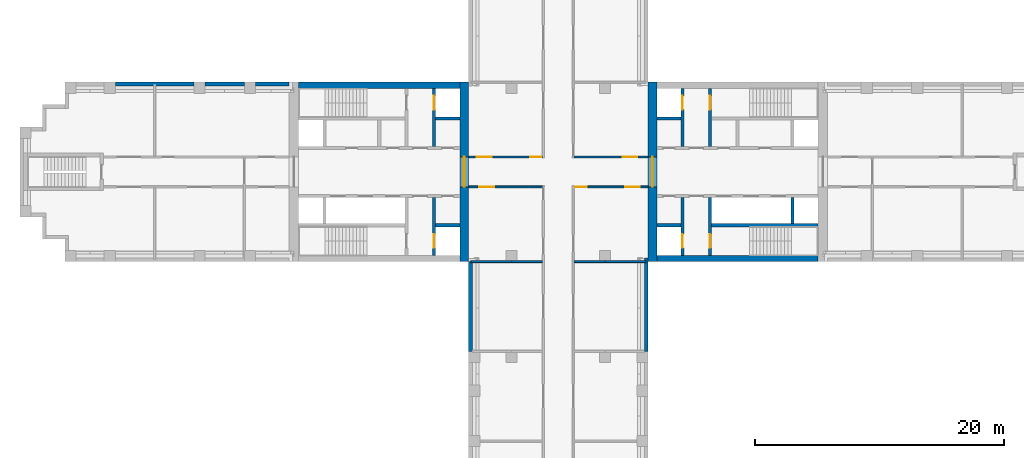
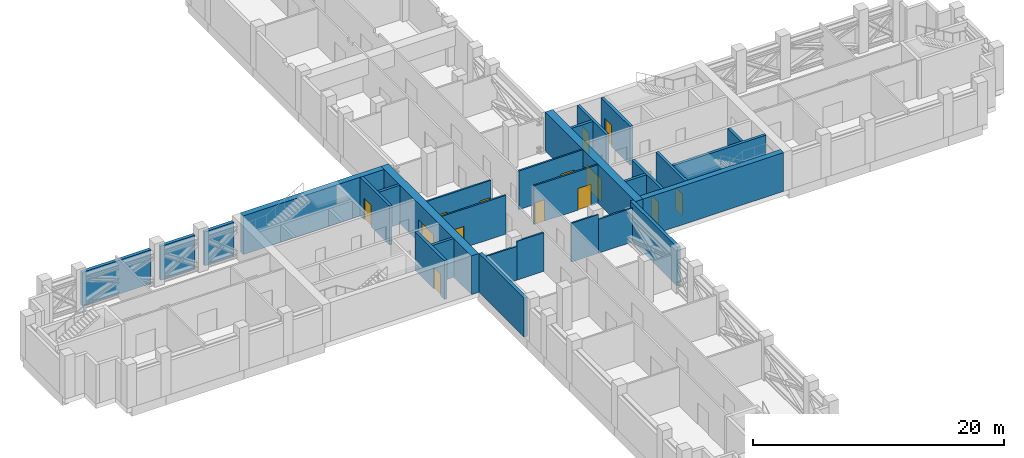
# One storey, part 6 of 10: 29 walls, 14 doors, 14 openings.
"""IFC4 building model written with IfcOpenShell, lengths in metres."""

from ifc_helpers import new_model, si_unit, direction, frame, frame_2d, origin, place, context, subcontext, project, spatial, rectangle, extrude, material, layer, layer_set, type_object, element, fill, save


model = new_model("IFC4")

# Units and contexts
model_context = context("Model", 3, precision=1e-05, world=origin(), true_north=direction((0.0, 1.0)))
body_context = subcontext(model_context, "Body", "Model", "MODEL_VIEW")
ifc_project = project(units=[si_unit("LENGTHUNIT", "METRE"), si_unit("AREAUNIT", "SQUARE_METRE"), si_unit("VOLUMEUNIT", "CUBIC_METRE"), si_unit("PLANEANGLEUNIT", "RADIAN"), si_unit("MASSUNIT", "GRAM", prefix="KILO")], contexts=[model_context])

# Site, building, storey
site_placement = place(None, origin())
site = spatial("IfcSite", under=ifc_project, at=site_placement, CompositionType="ELEMENT")
building_placement = place(site_placement, origin())
building = spatial("IfcBuilding", under=site, at=building_placement, Name="Fustian Cross Tower", CompositionType="ELEMENT")
storey_placement = place(building_placement, frame((0.0, 0.0, 62.699951171875)))
storey = spatial("IfcBuildingStorey", under=building, at=storey_placement, Name="L19", CompositionType="ELEMENT", Elevation=62.699951171875)

# Wall, opening, door
ifc_material_1 = material(Name="Plasterboard on steel stud", Category="steel")
ifc_layer_1 = layer(ifc_material_1, 0.14990234375)
ifc_layer_set_1 = layer_set([ifc_layer_1], Name="Plasterboard on steel stud")
wall_type_1 = type_object("IfcWallType", Name="COMPARTMENT WALL 150 EI 60", PredefinedType="PARTITIONING", material=ifc_layer_set_1)
wall_1_placement = place(storey_placement, frame((-7.199951171875, -1.199951171875, 0.0), z_axis=(0.0, 0.0, 1.0), x_axis=(1.0, 0.0, 0.0)))
wall_1 = element("IfcWall", 1, at=wall_1_placement, inside=storey, type_object=wall_type_1, Name="Partition 6", PredefinedType="PARTITIONING", context=body_context, shape_type="SweptSolid", body=[
    extrude(rectangle(XDim=5.925048828125, YDim=0.14990234375, at=frame_2d((2.96240234375, 0.0))), origin(), (0.0, 0.0, 1.0), 3.775146484375),
])
opening_1_placement = place(wall_1_placement, frame((0.85009765625, 0.0, 0.0)))
opening_1 = element("IfcOpeningElement", 2, at=opening_1_placement, cuts=wall_1, Name="Opening D10007", PredefinedType="OPENING", context=body_context, shape_type="SweptSolid", body=[
    extrude(rectangle(XDim=1.199951171875, YDim=2.10009765625, at=frame_2d((0.60009765625, 1.050048828125))), frame((0.0, 0.0849609375, 0.0), z_axis=(0.0, -1.0, 0.0), x_axis=(1.0, 0.0, 0.0)), (0.0, 0.0, 1.0), 0.169921875),
])
ifc_material_2 = material(Name="Timber fire door set", Category="wood")
door_type_1 = type_object("IfcDoorType", Name="FIRE SWING DOOR 1200 FD30S", OperationType="SINGLE_SWING_LEFT", PredefinedType="DOOR", material=ifc_material_2)
door_1_placement = place(opening_1_placement, frame((1.199951171875, 0.0, 0.0), z_axis=(0.0, 0.0, 1.0), x_axis=(-1.0, 0.0, 0.0)))
door_1 = element("IfcDoor", 3, at=door_1_placement, inside=storey, type_object=door_type_1, Name="Door D10007", OperationType="SINGLE_SWING_RIGHT", OverallHeight=2.10009765625, OverallWidth=1.199951171875, PredefinedType="DOOR", context=body_context, shape_type="SweptSolid", body=[
    extrude(rectangle(XDim=1.199951171875, YDim=2.10009765625, at=frame_2d((0.60009765625, 1.050048828125))), frame((0.0, 0.02490234375, 0.0), z_axis=(0.0, -1.0, 0.0), x_axis=(1.0, 0.0, 0.0)), (0.0, 0.0, 1.0), 0.050048828125),
])
fill(opening_1, door_1)

# Wall, openings, doors
wall_2_placement = place(storey_placement, frame((-7.199951171875, 1.199951171875, 0.0), z_axis=(0.0, 0.0, 1.0), x_axis=(1.0, 0.0, 0.0)))
wall_2 = element("IfcWall", 4, at=wall_2_placement, inside=storey, type_object=wall_type_1, Name="Partition 7", PredefinedType="PARTITIONING", context=body_context, shape_type="SweptSolid", body=[
    extrude(rectangle(XDim=5.925048828125, YDim=0.14990234375, at=frame_2d((2.96240234375, 0.0))), origin(), (0.0, 0.0, 1.0), 3.775146484375),
])
opening_2_placement = place(wall_2_placement, frame((0.64990234375, 0.0, 0.0)))
opening_2 = element("IfcOpeningElement", 5, at=opening_2_placement, cuts=wall_2, Name="Opening D10004", PredefinedType="OPENING", context=body_context, shape_type="SweptSolid", body=[
    extrude(rectangle(XDim=1.199951171875, YDim=2.10009765625, at=frame_2d((0.60009765625, 1.050048828125))), frame((0.0, 0.0849609375, 0.0), z_axis=(0.0, -1.0, 0.0), x_axis=(1.0, 0.0, 0.0)), (0.0, 0.0, 1.0), 0.169921875),
])
opening_3_placement = place(wall_2_placement, frame((4.925048828125, 0.0, 0.0)))
opening_3 = element("IfcOpeningElement", 6, at=opening_3_placement, cuts=wall_2, Name="Opening D10005", PredefinedType="OPENING", context=body_context, shape_type="SweptSolid", body=[
    extrude(rectangle(XDim=0.89990234375, YDim=2.10009765625, at=frame_2d((0.449951171875, 1.050048828125))), frame((0.0, 0.0849609375, 0.0), z_axis=(0.0, -1.0, 0.0), x_axis=(1.0, 0.0, 0.0)), (0.0, 0.0, 1.0), 0.169921875),
])
ifc_material_3 = material(Name="Timber fire door set", Category="wood")
door_type_2 = type_object("IfcDoorType", Name="FIRE SWING DOOR 1200 FD60S", OperationType="SINGLE_SWING_LEFT", PredefinedType="DOOR", material=ifc_material_3)
door_2_placement = place(opening_2_placement, frame((1.199951171875, 0.0, 0.0), z_axis=(0.0, 0.0, 1.0), x_axis=(-1.0, 0.0, 0.0)))
door_2 = element("IfcDoor", 7, at=door_2_placement, inside=storey, type_object=door_type_2, Name="Door D10004", OperationType="SINGLE_SWING_RIGHT", OverallHeight=2.10009765625, OverallWidth=1.199951171875, PredefinedType="DOOR", context=body_context, shape_type="SweptSolid", body=[
    extrude(rectangle(XDim=1.199951171875, YDim=2.10009765625, at=frame_2d((0.60009765625, 1.050048828125))), frame((0.0, 0.02490234375, 0.0), z_axis=(0.0, -1.0, 0.0), x_axis=(1.0, 0.0, 0.0)), (0.0, 0.0, 1.0), 0.050048828125),
])
fill(opening_2, door_2)
ifc_material_4 = material(Name="Timber fire door set", Category="wood")
door_type_3 = type_object("IfcDoorType", Name="FIRE SWING DOOR 900 FD30S", OperationType="SINGLE_SWING_LEFT", PredefinedType="DOOR", material=ifc_material_4)
door_3_placement = place(opening_3_placement, frame((0.89990234375, 0.0, 0.0), z_axis=(0.0, 0.0, 1.0), x_axis=(-1.0, 0.0, 0.0)))
door_3 = element("IfcDoor", 8, at=door_3_placement, inside=storey, type_object=door_type_3, Name="Door D10005", OperationType="SINGLE_SWING_RIGHT", OverallHeight=2.10009765625, OverallWidth=0.89990234375, PredefinedType="DOOR", context=body_context, shape_type="SweptSolid", body=[
    extrude(rectangle(XDim=0.89990234375, YDim=2.10009765625, at=frame_2d((0.449951171875, 1.050048828125))), frame((0.0, 0.02490234375, 0.0), z_axis=(0.0, -1.0, 0.0), x_axis=(1.0, 0.0, 0.0)), (0.0, 0.0, 1.0), 0.050048828125),
])
fill(opening_3, door_3)

# Walls
wall_3_placement = place(storey_placement, frame((-7.02001953125, -7.199951171875, 0.0), z_axis=(0.0, 0.0, 1.0), x_axis=(1.0, 0.0, 0.0)))
element("IfcWall", 9, at=wall_3_placement, inside=storey, type_object=wall_type_1, Name="Partition 11", PredefinedType="PARTITIONING", context=body_context, shape_type="SweptSolid", body=[
    extrude(rectangle(XDim=3.27001953125, YDim=0.14990234375, at=frame_2d((1.635009765625, 0.0))), origin(), (0.0, 0.0, 1.0), 3.300048828125),
])
wall_4_placement = place(storey_placement, frame((1.27490234375, -7.199951171875, 0.0), z_axis=(0.0, 0.0, 1.0), x_axis=(1.0, 0.0, 0.0)))
element("IfcWall", 10, at=wall_4_placement, inside=storey, type_object=wall_type_1, Name="Partition 22", PredefinedType="PARTITIONING", context=body_context, shape_type="SweptSolid", body=[
    extrude(rectangle(XDim=2.47509765625, YDim=0.14990234375, at=frame_2d((1.237548828125, 0.0))), origin(), (0.0, 0.0, 1.0), 3.775146484375),
])

# Wall, openings, doors
wall_5_placement = place(storey_placement, frame((1.27490234375, -1.199951171875, 0.0), z_axis=(0.0, 0.0, 1.0), x_axis=(1.0, 0.0, 0.0)))
wall_5 = element("IfcWall", 11, at=wall_5_placement, inside=storey, type_object=wall_type_1, Name="Partition 23", PredefinedType="PARTITIONING", context=body_context, shape_type="SweptSolid", body=[
    extrude(rectangle(XDim=5.925048828125, YDim=0.14990234375, at=frame_2d((2.96240234375, 0.0))), origin(), (0.0, 0.0, 1.0), 3.775146484375),
])
opening_4_placement = place(wall_5_placement, frame((0.10009765625, 0.0, 0.0)))
opening_4 = element("IfcOpeningElement", 12, at=opening_4_placement, cuts=wall_5, Name="Opening D10011", PredefinedType="OPENING", context=body_context, shape_type="SweptSolid", body=[
    extrude(rectangle(XDim=0.89990234375, YDim=2.10009765625, at=frame_2d((0.449951171875, 1.050048828125))), frame((0.0, 0.0849609375, 0.0), z_axis=(0.0, -1.0, 0.0), x_axis=(1.0, 0.0, 0.0)), (0.0, 0.0, 1.0), 0.169921875),
])
opening_5_placement = place(wall_5_placement, frame((4.074951171875, 0.0, 0.0)))
opening_5 = element("IfcOpeningElement", 13, at=opening_5_placement, cuts=wall_5, Name="Opening D10012", PredefinedType="OPENING", context=body_context, shape_type="SweptSolid", body=[
    extrude(rectangle(XDim=1.199951171875, YDim=2.10009765625, at=frame_2d((0.60009765625, 1.050048828125))), frame((0.0, 0.0849609375, 0.0), z_axis=(0.0, -1.0, 0.0), x_axis=(1.0, 0.0, 0.0)), (0.0, 0.0, 1.0), 0.169921875),
])
door_4_placement = place(opening_5_placement, frame((1.199951171875, 0.0, 0.0), z_axis=(0.0, 0.0, 1.0), x_axis=(-1.0, 0.0, 0.0)))
door_4 = element("IfcDoor", 14, at=door_4_placement, inside=storey, type_object=door_type_2, Name="Door D10012", OperationType="SINGLE_SWING_LEFT", OverallHeight=2.10009765625, OverallWidth=1.199951171875, PredefinedType="DOOR", context=body_context, shape_type="SweptSolid", body=[
    extrude(rectangle(XDim=1.199951171875, YDim=2.10009765625, at=frame_2d((0.60009765625, 1.050048828125))), frame((0.0, 0.02490234375, 0.0), z_axis=(0.0, -1.0, 0.0), x_axis=(1.0, 0.0, 0.0)), (0.0, 0.0, 1.0), 0.050048828125),
])
fill(opening_5, door_4)
door_5_placement = place(opening_4_placement, origin())
door_5 = element("IfcDoor", 15, at=door_5_placement, inside=storey, type_object=door_type_3, Name="Door D10011", OperationType="SINGLE_SWING_RIGHT", OverallHeight=2.10009765625, OverallWidth=0.89990234375, PredefinedType="DOOR", context=body_context, shape_type="SweptSolid", body=[
    extrude(rectangle(XDim=0.89990234375, YDim=2.10009765625, at=frame_2d((0.449951171875, 1.050048828125))), frame((0.0, 0.02490234375, 0.0), z_axis=(0.0, -1.0, 0.0), x_axis=(1.0, 0.0, 0.0)), (0.0, 0.0, 1.0), 0.050048828125),
])
fill(opening_4, door_5)

# Wall, opening, door
wall_6_placement = place(storey_placement, frame((1.27490234375, 1.199951171875, 0.0), z_axis=(0.0, 0.0, 1.0), x_axis=(1.0, 0.0, 0.0)))
wall_6 = element("IfcWall", 16, at=wall_6_placement, inside=storey, type_object=wall_type_1, Name="Partition 25", PredefinedType="PARTITIONING", context=body_context, shape_type="SweptSolid", body=[
    extrude(rectangle(XDim=5.925048828125, YDim=0.14990234375, at=frame_2d((2.96240234375, 0.0))), origin(), (0.0, 0.0, 1.0), 3.775146484375),
])
opening_6_placement = place(wall_6_placement, frame((3.875, 0.0, 0.0)))
opening_6 = element("IfcOpeningElement", 17, at=opening_6_placement, cuts=wall_6, Name="Opening D10003", PredefinedType="OPENING", context=body_context, shape_type="SweptSolid", body=[
    extrude(rectangle(XDim=1.199951171875, YDim=2.10009765625, at=frame_2d((0.60009765625, 1.050048828125))), frame((0.0, 0.0849609375, 0.0), z_axis=(0.0, -1.0, 0.0), x_axis=(1.0, 0.0, 0.0)), (0.0, 0.0, 1.0), 0.169921875),
])
door_6_placement = place(opening_6_placement, frame((1.199951171875, 0.0, 0.0), z_axis=(0.0, 0.0, 1.0), x_axis=(-1.0, 0.0, 0.0)))
door_6 = element("IfcDoor", 18, at=door_6_placement, inside=storey, type_object=door_type_2, Name="Door D10003", OperationType="SINGLE_SWING_LEFT", OverallHeight=2.10009765625, OverallWidth=1.199951171875, PredefinedType="DOOR", context=body_context, shape_type="SweptSolid", body=[
    extrude(rectangle(XDim=1.199951171875, YDim=2.10009765625, at=frame_2d((0.60009765625, 1.050048828125))), frame((0.0, 0.02490234375, 0.0), z_axis=(0.0, -1.0, 0.0), x_axis=(1.0, 0.0, 0.0)), (0.0, 0.0, 1.0), 0.050048828125),
])
fill(opening_6, door_6)

# Walls
wall_7_placement = place(storey_placement, frame((-3.75, -7.199951171875, 0.0), z_axis=(0.0, 0.0, 1.0), x_axis=(1.0, 0.0, 0.0)))
element("IfcWall", 19, at=wall_7_placement, inside=storey, type_object=wall_type_1, Name="Partition 11", PredefinedType="PARTITIONING", context=body_context, shape_type="SweptSolid", body=[
    extrude(rectangle(XDim=2.47509765625, YDim=0.14990234375, at=frame_2d((1.237548828125, 0.0))), origin(), (0.0, 0.0, 1.0), 3.775146484375),
])
wall_8_placement = place(storey_placement, frame((3.75, -7.199951171875, 0.0), z_axis=(0.0, 0.0, 1.0), x_axis=(1.0, 0.0, 0.0)))
element("IfcWall", 20, at=wall_8_placement, inside=storey, type_object=wall_type_1, Name="Partition 22", PredefinedType="PARTITIONING", context=body_context, shape_type="SweptSolid", body=[
    extrude(rectangle(XDim=3.27001953125, YDim=0.14990234375, at=frame_2d((1.635009765625, 0.0))), origin(), (0.0, 0.0, 1.0), 3.300048828125),
])

# Wall, opening, door
ifc_material_5 = material(Name="Concrete C80/95", Category="concrete")
ifc_layer_2 = layer(ifc_material_5, 0.699951171875)
ifc_layer_set_2 = layer_set([ifc_layer_2], Name="Concrete C80/95")
wall_type_2 = type_object("IfcWallType", Name="CORE END WALL 700 C80/95", PredefinedType="SHEAR", material=ifc_layer_set_2)
wall_9_placement = place(storey_placement, frame((7.550048828125, -7.199951171875, 0.0), z_axis=(0.0, 0.0, 1.0), x_axis=(0.0, 1.0, 0.0)))
wall_9 = element("IfcWall", 21, at=wall_9_placement, inside=storey, type_object=wall_type_2, Name="Core end wall", PredefinedType="SHEAR", context=body_context, shape_type="SweptSolid", body=[
    extrude(rectangle(XDim=14.39990234375, YDim=0.699951171875, at=frame_2d((7.199951171875, 0.0))), origin(), (0.0, 0.0, 1.0), 3.775146484375),
])
opening_7_placement = place(wall_9_placement, frame((6.0, 0.0, 0.0)))
opening_7 = element("IfcOpeningElement", 22, at=opening_7_placement, cuts=wall_9, Name="Opening CD-08-12", PredefinedType="OPENING", context=body_context, shape_type="SweptSolid", body=[
    extrude(rectangle(XDim=2.39990234375, YDim=2.199951171875, at=frame_2d((1.199951171875, 1.10009765625))), frame((0.0, 0.35986328125, 0.0), z_axis=(0.0, -1.0, 0.0), x_axis=(1.0, 0.0, 0.0)), (0.0, 0.0, 1.0), 0.719970703125),
])
ifc_material_6 = material(Name="Steel", Category="steel")
door_type_4 = type_object("IfcDoorType", Name="FIRE DOOR FD30S DOUBLE 2400X2200", OperationType="DOUBLE_DOOR_DOUBLE_SWING", PredefinedType="DOOR", material=ifc_material_6)
door_7_placement = place(opening_7_placement, frame((2.39990234375, 0.0, 0.0), z_axis=(0.0, 0.0, 1.0), x_axis=(-1.0, 0.0, 0.0)))
door_7 = element("IfcDoor", 23, at=door_7_placement, inside=storey, type_object=door_type_4, Name="Core door CD-08-12", OperationType="DOUBLE_DOOR_DOUBLE_SWING", OverallHeight=2.199951171875, OverallWidth=2.39990234375, PredefinedType="DOOR", context=body_context, shape_type="SweptSolid", body=[
    extrude(rectangle(XDim=2.39990234375, YDim=2.199951171875, at=frame_2d((1.199951171875, 1.10009765625))), frame((0.0, 0.02490234375, 0.0), z_axis=(0.0, -1.0, 0.0), x_axis=(1.0, 0.0, 0.0)), (0.0, 0.0, 1.0), 0.050048828125),
])
fill(opening_7, door_7)

wall_10_placement = place(storey_placement, frame((-7.550048828125, -7.199951171875, 0.0), z_axis=(0.0, 0.0, 1.0), x_axis=(0.0, 1.0, 0.0)))
wall_10 = element("IfcWall", 24, at=wall_10_placement, inside=storey, type_object=wall_type_2, Name="Core end wall", PredefinedType="SHEAR", context=body_context, shape_type="SweptSolid", body=[
    extrude(rectangle(XDim=14.39990234375, YDim=0.699951171875, at=frame_2d((7.199951171875, 0.0))), origin(), (0.0, 0.0, 1.0), 3.775146484375),
])
opening_8_placement = place(wall_10_placement, frame((6.0, 0.0, 0.0)))
opening_8 = element("IfcOpeningElement", 25, at=opening_8_placement, cuts=wall_10, Name="Opening CD-08-27", PredefinedType="OPENING", context=body_context, shape_type="SweptSolid", body=[
    extrude(rectangle(XDim=2.39990234375, YDim=2.199951171875, at=frame_2d((1.199951171875, 1.10009765625))), frame((0.0, 0.35986328125, 0.0), z_axis=(0.0, -1.0, 0.0), x_axis=(1.0, 0.0, 0.0)), (0.0, 0.0, 1.0), 0.719970703125),
])
door_8_placement = place(opening_8_placement, origin())
door_8 = element("IfcDoor", 26, at=door_8_placement, inside=storey, type_object=door_type_4, Name="Core door CD-08-27", OperationType="DOUBLE_DOOR_DOUBLE_SWING", OverallHeight=2.199951171875, OverallWidth=2.39990234375, PredefinedType="DOOR", context=body_context, shape_type="SweptSolid", body=[
    extrude(rectangle(XDim=2.39990234375, YDim=2.199951171875, at=frame_2d((1.199951171875, 1.10009765625))), frame((0.0, 0.02490234375, 0.0), z_axis=(0.0, -1.0, 0.0), x_axis=(1.0, 0.0, 0.0)), (0.0, 0.0, 1.0), 0.050048828125),
])
fill(opening_8, door_8)

# Walls
ifc_material_7 = material(Name="Concrete C80/95", Category="concrete")
ifc_layer_3 = layer(ifc_material_7, 0.5)
ifc_layer_set_3 = layer_set([ifc_layer_3], Name="Concrete C80/95")
wall_type_3 = type_object("IfcWallType", Name="CORE FACADE WALL 500 C80/95", PredefinedType="SHEAR", material=ifc_layer_set_3)
for number, where, z_axis, x_axis, name in (
    (27, (7.89990234375, -6.949951171875, 0.0), (0.0, 0.0, 1.0), (1.0, 0.0, 0.0), "Core facade wall"),
    (28, (-7.89990234375, 6.949951171875, 0.0), (0.0, 0.0, 1.0), (-1.0, 0.0, 0.0), "Core facade wall"),
):
    element("IfcWall", number, at=place(storey_placement, frame(where, z_axis=z_axis, x_axis=x_axis)), inside=storey, type_object=wall_type_3, Name=name, PredefinedType="SHEAR", context=body_context, shape_type="SweptSolid", body=[
        extrude(rectangle(XDim=12.9501953125, YDim=0.5, at=frame_2d((6.47509765625, 0.0))), origin(), (0.0, 0.0, 1.0), 3.775146484375),
    ])
ifc_material_8 = material(Name="Concrete C50/60", Category="concrete")
ifc_layer_4 = layer(ifc_material_8, 0.25)
ifc_layer_set_4 = layer_set([ifc_layer_4], Name="Concrete C50/60")
wall_type_4 = type_object("IfcWallType", Name="CORE SHAFT WALL 250 C50/60", PredefinedType="SHEAR", material=ifc_layer_set_4)
wall_11_placement = place(storey_placement, frame((7.89990234375, 4.27490234375, 0.0), z_axis=(0.0, 0.0, 1.0), x_axis=(1.0, 0.0, 0.0)))
element("IfcWall", 29, at=wall_11_placement, inside=storey, type_object=wall_type_4, Name="Core shaft wall", PredefinedType="SHEAR", context=body_context, shape_type="SweptSolid", body=[
    extrude(rectangle(XDim=1.9501953125, YDim=0.25, at=frame_2d((0.97509765625, 0.0))), origin(), (0.0, 0.0, 1.0), 3.775146484375),
])

# Wall, opening, door
wall_12_placement = place(storey_placement, frame((9.97509765625, 2.050048828125, 0.0), z_axis=(0.0, 0.0, 1.0), x_axis=(0.0, 1.0, 0.0)))
wall_12 = element("IfcWall", 30, at=wall_12_placement, inside=storey, type_object=wall_type_4, Name="Core shaft wall", PredefinedType="SHEAR", context=body_context, shape_type="SweptSolid", body=[
    extrude(rectangle(XDim=4.64990234375, YDim=0.25, at=frame_2d((2.324951171875, 0.0))), origin(), (0.0, 0.0, 1.0), 3.775146484375),
])
opening_9_placement = place(wall_12_placement, frame((2.949951171875, 0.0, 0.0)))
opening_9 = element("IfcOpeningElement", 31, at=opening_9_placement, cuts=wall_12, Name="Opening LD", PredefinedType="OPENING", context=body_context, shape_type="SweptSolid", body=[
    extrude(rectangle(XDim=1.10009765625, YDim=2.10009765625, at=frame_2d((0.550048828125, 1.050048828125))), frame((0.0, 0.135009765625, 0.0), z_axis=(0.0, -1.0, 0.0), x_axis=(1.0, 0.0, 0.0)), (0.0, 0.0, 1.0), 0.27001953125),
])
ifc_material_9 = material(Name="Stainless steel", Category="steel")
door_type_5 = type_object("IfcDoorType", Name="LIFT LANDING DOOR 1100X2100", OperationType="SLIDING_TO_LEFT", PredefinedType="DOOR", material=ifc_material_9)
door_9_placement = place(opening_9_placement, origin())
door_9 = element("IfcDoor", 32, at=door_9_placement, inside=storey, type_object=door_type_5, Name="Landing door FL1", OperationType="SLIDING_TO_LEFT", OverallHeight=2.10009765625, OverallWidth=1.10009765625, PredefinedType="DOOR", context=body_context, shape_type="SweptSolid", body=[
    extrude(rectangle(XDim=1.10009765625, YDim=2.10009765625, at=frame_2d((0.550048828125, 1.050048828125))), frame((0.0, 0.02490234375, 0.0), z_axis=(0.0, -1.0, 0.0), x_axis=(1.0, 0.0, 0.0)), (0.0, 0.0, 1.0), 0.050048828125),
])
fill(opening_9, door_9)

wall_13_placement = place(storey_placement, frame((12.175048828125, 2.050048828125, 0.0), z_axis=(0.0, 0.0, 1.0), x_axis=(0.0, 1.0, 0.0)))
wall_13 = element("IfcWall", 33, at=wall_13_placement, inside=storey, type_object=wall_type_4, Name="Core shaft wall", PredefinedType="SHEAR", context=body_context, shape_type="SweptSolid", body=[
    extrude(rectangle(XDim=4.64990234375, YDim=0.25, at=frame_2d((2.324951171875, 0.0))), origin(), (0.0, 0.0, 1.0), 3.775146484375),
])
opening_10_placement = place(wall_13_placement, frame((2.949951171875, 0.0, 0.0)))
opening_10 = element("IfcOpeningElement", 34, at=opening_10_placement, cuts=wall_13, Name="Opening CD-08-06", PredefinedType="OPENING", context=body_context, shape_type="SweptSolid", body=[
    extrude(rectangle(XDim=1.10009765625, YDim=2.10009765625, at=frame_2d((0.550048828125, 1.050048828125))), frame((0.0, 0.135009765625, 0.0), z_axis=(0.0, -1.0, 0.0), x_axis=(1.0, 0.0, 0.0)), (0.0, 0.0, 1.0), 0.27001953125),
])
ifc_material_10 = material(Name="Steel", Category="steel")
door_type_6 = type_object("IfcDoorType", Name="FIRE DOOR FD60S 1100X2100", OperationType="SINGLE_SWING_LEFT", PredefinedType="DOOR", material=ifc_material_10)
door_10_placement = place(opening_10_placement, frame((1.10009765625, 0.0, 0.0), z_axis=(0.0, 0.0, 1.0), x_axis=(-1.0, 0.0, 0.0)))
door_10 = element("IfcDoor", 35, at=door_10_placement, inside=storey, type_object=door_type_6, Name="Core door CD-08-06", OperationType="SINGLE_SWING_RIGHT", OverallHeight=2.10009765625, OverallWidth=1.10009765625, PredefinedType="DOOR", context=body_context, shape_type="SweptSolid", body=[
    extrude(rectangle(XDim=1.10009765625, YDim=2.10009765625, at=frame_2d((0.550048828125, 1.050048828125))), frame((0.0, 0.02490234375, 0.0), z_axis=(0.0, -1.0, 0.0), x_axis=(1.0, 0.0, 0.0)), (0.0, 0.0, 1.0), 0.050048828125),
])
fill(opening_10, door_10)

# Walls
wall_14_placement = place(storey_placement, frame((7.89990234375, -4.27490234375, 0.0), z_axis=(0.0, 0.0, 1.0), x_axis=(1.0, 0.0, 0.0)))
element("IfcWall", 36, at=wall_14_placement, inside=storey, type_object=wall_type_4, Name="Core shaft wall", PredefinedType="SHEAR", context=body_context, shape_type="SweptSolid", body=[
    extrude(rectangle(XDim=1.9501953125, YDim=0.25, at=frame_2d((0.97509765625, 0.0))), origin(), (0.0, 0.0, 1.0), 3.775146484375),
])
wall_15_placement = place(storey_placement, frame((12.300048828125, -4.27490234375, 0.0), z_axis=(0.0, 0.0, 1.0), x_axis=(1.0, 0.0, 0.0)))
element("IfcWall", 37, at=wall_15_placement, inside=storey, type_object=wall_type_4, Name="Core shaft wall", PredefinedType="SHEAR", context=body_context, shape_type="SweptSolid", body=[
    extrude(rectangle(XDim=8.550048828125, YDim=0.25, at=frame_2d((4.27490234375, 0.0))), origin(), (0.0, 0.0, 1.0), 3.775146484375),
])

# Wall, opening, door
wall_16_placement = place(storey_placement, frame((9.97509765625, -2.050048828125, 0.0), z_axis=(0.0, 0.0, 1.0), x_axis=(0.0, -1.0, 0.0)))
wall_16 = element("IfcWall", 38, at=wall_16_placement, inside=storey, type_object=wall_type_4, Name="Core shaft wall", PredefinedType="SHEAR", context=body_context, shape_type="SweptSolid", body=[
    extrude(rectangle(XDim=4.64990234375, YDim=0.25, at=frame_2d((2.324951171875, 0.0))), origin(), (0.0, 0.0, 1.0), 3.775146484375),
])
opening_11_placement = place(wall_16_placement, frame((2.949951171875, 0.0, 0.0)))
opening_11 = element("IfcOpeningElement", 39, at=opening_11_placement, cuts=wall_16, Name="Opening LD", PredefinedType="OPENING", context=body_context, shape_type="SweptSolid", body=[
    extrude(rectangle(XDim=1.10009765625, YDim=2.10009765625, at=frame_2d((0.550048828125, 1.050048828125))), frame((0.0, 0.135009765625, 0.0), z_axis=(0.0, -1.0, 0.0), x_axis=(1.0, 0.0, 0.0)), (0.0, 0.0, 1.0), 0.27001953125),
])
door_11_placement = place(opening_11_placement, origin())
door_11 = element("IfcDoor", 40, at=door_11_placement, inside=storey, type_object=door_type_5, Name="Landing door SV1", OperationType="SLIDING_TO_LEFT", OverallHeight=2.10009765625, OverallWidth=1.10009765625, PredefinedType="DOOR", context=body_context, shape_type="SweptSolid", body=[
    extrude(rectangle(XDim=1.10009765625, YDim=2.10009765625, at=frame_2d((0.550048828125, 1.050048828125))), frame((0.0, 0.02490234375, 0.0), z_axis=(0.0, -1.0, 0.0), x_axis=(1.0, 0.0, 0.0)), (0.0, 0.0, 1.0), 0.050048828125),
])
fill(opening_11, door_11)

wall_17_placement = place(storey_placement, frame((12.175048828125, -2.050048828125, 0.0), z_axis=(0.0, 0.0, 1.0), x_axis=(0.0, -1.0, 0.0)))
wall_17 = element("IfcWall", 41, at=wall_17_placement, inside=storey, type_object=wall_type_4, Name="Core shaft wall", PredefinedType="SHEAR", context=body_context, shape_type="SweptSolid", body=[
    extrude(rectangle(XDim=4.64990234375, YDim=0.25, at=frame_2d((2.324951171875, 0.0))), origin(), (0.0, 0.0, 1.0), 3.775146484375),
])
opening_12_placement = place(wall_17_placement, frame((2.949951171875, 0.0, 0.0)))
opening_12 = element("IfcOpeningElement", 42, at=opening_12_placement, cuts=wall_17, Name="Opening CD-08-07", PredefinedType="OPENING", context=body_context, shape_type="SweptSolid", body=[
    extrude(rectangle(XDim=1.10009765625, YDim=2.10009765625, at=frame_2d((0.550048828125, 1.050048828125))), frame((0.0, 0.135009765625, 0.0), z_axis=(0.0, -1.0, 0.0), x_axis=(1.0, 0.0, 0.0)), (0.0, 0.0, 1.0), 0.27001953125),
])
door_12_placement = place(opening_12_placement, origin())
door_12 = element("IfcDoor", 43, at=door_12_placement, inside=storey, type_object=door_type_6, Name="Core door CD-08-07", OperationType="SINGLE_SWING_LEFT", OverallHeight=2.10009765625, OverallWidth=1.10009765625, PredefinedType="DOOR", context=body_context, shape_type="SweptSolid", body=[
    extrude(rectangle(XDim=1.10009765625, YDim=2.10009765625, at=frame_2d((0.550048828125, 1.050048828125))), frame((0.0, 0.02490234375, 0.0), z_axis=(0.0, -1.0, 0.0), x_axis=(1.0, 0.0, 0.0)), (0.0, 0.0, 1.0), 0.050048828125),
])
fill(opening_12, door_12)

# Wall
wall_18_placement = place(storey_placement, frame((-7.89990234375, 4.27490234375, 0.0), z_axis=(0.0, 0.0, 1.0), x_axis=(-1.0, 0.0, 0.0)))
element("IfcWall", 44, at=wall_18_placement, inside=storey, type_object=wall_type_4, Name="Core shaft wall", PredefinedType="SHEAR", context=body_context, shape_type="SweptSolid", body=[
    extrude(rectangle(XDim=1.9501953125, YDim=0.25, at=frame_2d((0.97509765625, 0.0))), origin(), (0.0, 0.0, 1.0), 3.775146484375),
])

# Wall, opening, door
wall_19_placement = place(storey_placement, frame((-9.97509765625, 2.050048828125, 0.0), z_axis=(0.0, 0.0, 1.0), x_axis=(0.0, 1.0, 0.0)))
wall_19 = element("IfcWall", 45, at=wall_19_placement, inside=storey, type_object=wall_type_4, Name="Core shaft wall", PredefinedType="SHEAR", context=body_context, shape_type="SweptSolid", body=[
    extrude(rectangle(XDim=4.64990234375, YDim=0.25, at=frame_2d((2.324951171875, 0.0))), origin(), (0.0, 0.0, 1.0), 3.775146484375),
])
opening_13_placement = place(wall_19_placement, frame((2.949951171875, 0.0, 0.0)))
opening_13 = element("IfcOpeningElement", 46, at=opening_13_placement, cuts=wall_19, Name="Opening LD", PredefinedType="OPENING", context=body_context, shape_type="SweptSolid", body=[
    extrude(rectangle(XDim=1.10009765625, YDim=2.10009765625, at=frame_2d((0.550048828125, 1.050048828125))), frame((0.0, 0.135009765625, 0.0), z_axis=(0.0, -1.0, 0.0), x_axis=(1.0, 0.0, 0.0)), (0.0, 0.0, 1.0), 0.27001953125),
])
door_13_placement = place(opening_13_placement, origin())
door_13 = element("IfcDoor", 47, at=door_13_placement, inside=storey, type_object=door_type_5, Name="Landing door FL1W", OperationType="SLIDING_TO_LEFT", OverallHeight=2.10009765625, OverallWidth=1.10009765625, PredefinedType="DOOR", context=body_context, shape_type="SweptSolid", body=[
    extrude(rectangle(XDim=1.10009765625, YDim=2.10009765625, at=frame_2d((0.550048828125, 1.050048828125))), frame((0.0, 0.02490234375, 0.0), z_axis=(0.0, -1.0, 0.0), x_axis=(1.0, 0.0, 0.0)), (0.0, 0.0, 1.0), 0.050048828125),
])
fill(opening_13, door_13)

# Wall
wall_20_placement = place(storey_placement, frame((-7.89990234375, -4.27490234375, 0.0), z_axis=(0.0, 0.0, 1.0), x_axis=(-1.0, 0.0, 0.0)))
element("IfcWall", 48, at=wall_20_placement, inside=storey, type_object=wall_type_4, Name="Core shaft wall", PredefinedType="SHEAR", context=body_context, shape_type="SweptSolid", body=[
    extrude(rectangle(XDim=1.9501953125, YDim=0.25, at=frame_2d((0.97509765625, 0.0))), origin(), (0.0, 0.0, 1.0), 3.775146484375),
])

# Wall, opening, door
wall_21_placement = place(storey_placement, frame((-9.97509765625, -2.050048828125, 0.0), z_axis=(0.0, 0.0, 1.0), x_axis=(0.0, -1.0, 0.0)))
wall_21 = element("IfcWall", 49, at=wall_21_placement, inside=storey, type_object=wall_type_4, Name="Core shaft wall", PredefinedType="SHEAR", context=body_context, shape_type="SweptSolid", body=[
    extrude(rectangle(XDim=4.64990234375, YDim=0.25, at=frame_2d((2.324951171875, 0.0))), origin(), (0.0, 0.0, 1.0), 3.775146484375),
])
opening_14_placement = place(wall_21_placement, frame((2.949951171875, 0.0, 0.0)))
opening_14 = element("IfcOpeningElement", 50, at=opening_14_placement, cuts=wall_21, Name="Opening LD", PredefinedType="OPENING", context=body_context, shape_type="SweptSolid", body=[
    extrude(rectangle(XDim=1.10009765625, YDim=2.10009765625, at=frame_2d((0.550048828125, 1.050048828125))), frame((0.0, 0.135009765625, 0.0), z_axis=(0.0, -1.0, 0.0), x_axis=(1.0, 0.0, 0.0)), (0.0, 0.0, 1.0), 0.27001953125),
])
door_14_placement = place(opening_14_placement, origin())
door_14 = element("IfcDoor", 51, at=door_14_placement, inside=storey, type_object=door_type_5, Name="Landing door SV1W", OperationType="SLIDING_TO_LEFT", OverallHeight=2.10009765625, OverallWidth=1.10009765625, PredefinedType="DOOR", context=body_context, shape_type="SweptSolid", body=[
    extrude(rectangle(XDim=1.10009765625, YDim=2.10009765625, at=frame_2d((0.550048828125, 1.050048828125))), frame((0.0, 0.02490234375, 0.0), z_axis=(0.0, -1.0, 0.0), x_axis=(1.0, 0.0, 0.0)), (0.0, 0.0, 1.0), 0.050048828125),
])
fill(opening_14, door_14)

# Walls
ifc_material_11 = material(Name="Concrete C40/50", Category="concrete")
ifc_layer_5 = layer(ifc_material_11, 0.25)
ifc_layer_set_5 = layer_set([ifc_layer_5], Name="Concrete C40/50")
wall_type_5 = type_object("IfcWallType", Name="SHAFT PARTITION WALL 250 C40/50", PredefinedType="PARTITIONING", material=ifc_layer_set_5)
wall_22_placement = place(storey_placement, frame((18.77490234375, -2.050048828125, 0.0), z_axis=(0.0, 0.0, 1.0), x_axis=(0.0, -1.0, 0.0)))
element("IfcWall", 52, at=wall_22_placement, inside=storey, type_object=wall_type_5, Name="Core shaft wall", PredefinedType="PARTITIONING", context=body_context, shape_type="SweptSolid", body=[
    extrude(rectangle(XDim=2.099853515625, YDim=0.25, at=frame_2d((1.0498046875, 0.0))), origin(), (0.0, 0.0, 1.0), 3.775146484375),
])
ifc_material_12 = material(Name="Dark aluminium louvres on insulated backing wall", Category="aluminium")
ifc_layer_6 = layer(ifc_material_12, 0.300048828125)
ifc_layer_set_6 = layer_set([ifc_layer_6], Name="Dark aluminium louvres on insulated backing wall")
wall_type_6 = type_object("IfcWallType", Name="XW2 LOUVRED PLANT WALL 300", PredefinedType="SOLIDWALL", material=ifc_layer_set_6)
wall_23_placement = place(storey_placement, frame((-21.60009765625, 7.050048828125, 0.0), z_axis=(0.0, 0.0, 1.0), x_axis=(-1.0, 0.0, 0.0)))
element("IfcWall", 53, at=wall_23_placement, inside=storey, type_object=wall_type_6, Name="Plant louvre wall", PredefinedType="SOLIDWALL", context=body_context, shape_type="SweptSolid", body=[
    extrude(rectangle(XDim=2.699951171875, YDim=0.300048828125, at=frame_2d((1.35009765625, 0.0))), origin(), (0.0, 0.0, 1.0), 3.300048828125),
])
wall_24_placement = place(storey_placement, frame((-25.199951171875, 7.050048828125, 0.0), z_axis=(0.0, 0.0, 1.0), x_axis=(-1.0, 0.0, 0.0)))
element("IfcWall", 54, at=wall_24_placement, inside=storey, type_object=wall_type_6, Name="Plant louvre wall", PredefinedType="SOLIDWALL", context=body_context, shape_type="SweptSolid", body=[
    extrude(rectangle(XDim=3.150146484375, YDim=0.300048828125, at=frame_2d((1.5751953125, 0.0))), origin(), (0.0, 0.0, 1.0), 3.300048828125),
])
wall_25_placement = place(storey_placement, frame((-29.25, 7.050048828125, 0.0), z_axis=(0.0, 0.0, 1.0), x_axis=(-1.0, 0.0, 0.0)))
element("IfcWall", 55, at=wall_25_placement, inside=storey, type_object=wall_type_6, Name="Plant louvre wall", PredefinedType="SOLIDWALL", context=body_context, shape_type="SweptSolid", body=[
    extrude(rectangle(XDim=6.300048828125, YDim=0.300048828125, at=frame_2d((3.14990234375, 0.0))), origin(), (0.0, 0.0, 1.0), 3.300048828125),
])
wall_26_placement = place(storey_placement, frame((-7.050048828125, -7.199951171875, 0.0), z_axis=(0.0, 0.0, 1.0), x_axis=(0.0, -1.0, 0.0)))
element("IfcWall", 56, at=wall_26_placement, inside=storey, type_object=wall_type_6, Name="Plant louvre wall", PredefinedType="SOLIDWALL", context=body_context, shape_type="SweptSolid", body=[
    extrude(rectangle(XDim=7.199951171875, YDim=0.300048828125, at=frame_2d((3.60009765625, 0.0))), origin(), (0.0, 0.0, 1.0), 3.775146484375),
])
wall_27_placement = place(storey_placement, frame((7.050048828125, -14.39990234375, 0.0), z_axis=(0.0, 0.0, 1.0), x_axis=(0.0, 1.0, 0.0)))
element("IfcWall", 57, at=wall_27_placement, inside=storey, type_object=wall_type_6, Name="Plant louvre wall", PredefinedType="SOLIDWALL", context=body_context, shape_type="SweptSolid", body=[
    extrude(rectangle(XDim=7.5, YDim=0.300048828125, at=frame_2d((3.75, 0.0))), origin(), (0.0, 0.0, 1.0), 3.775146484375),
])

save(model, "model.ifc")
